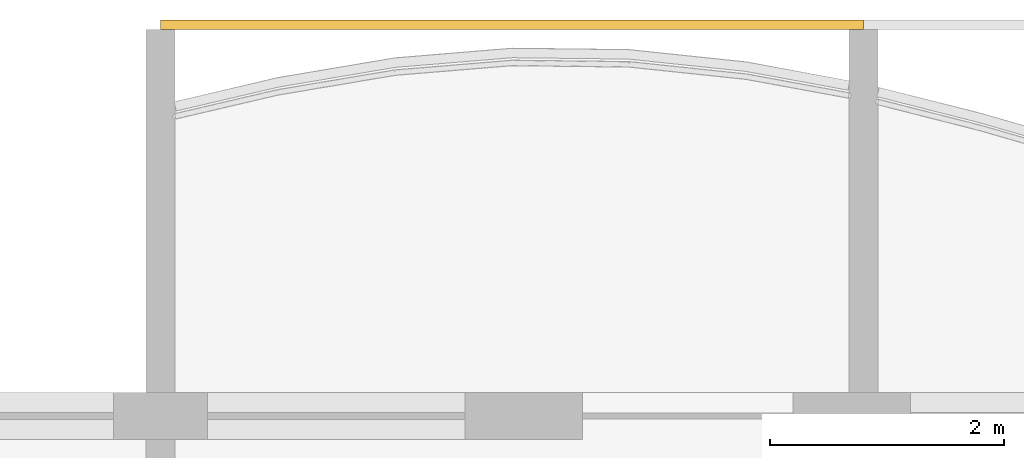
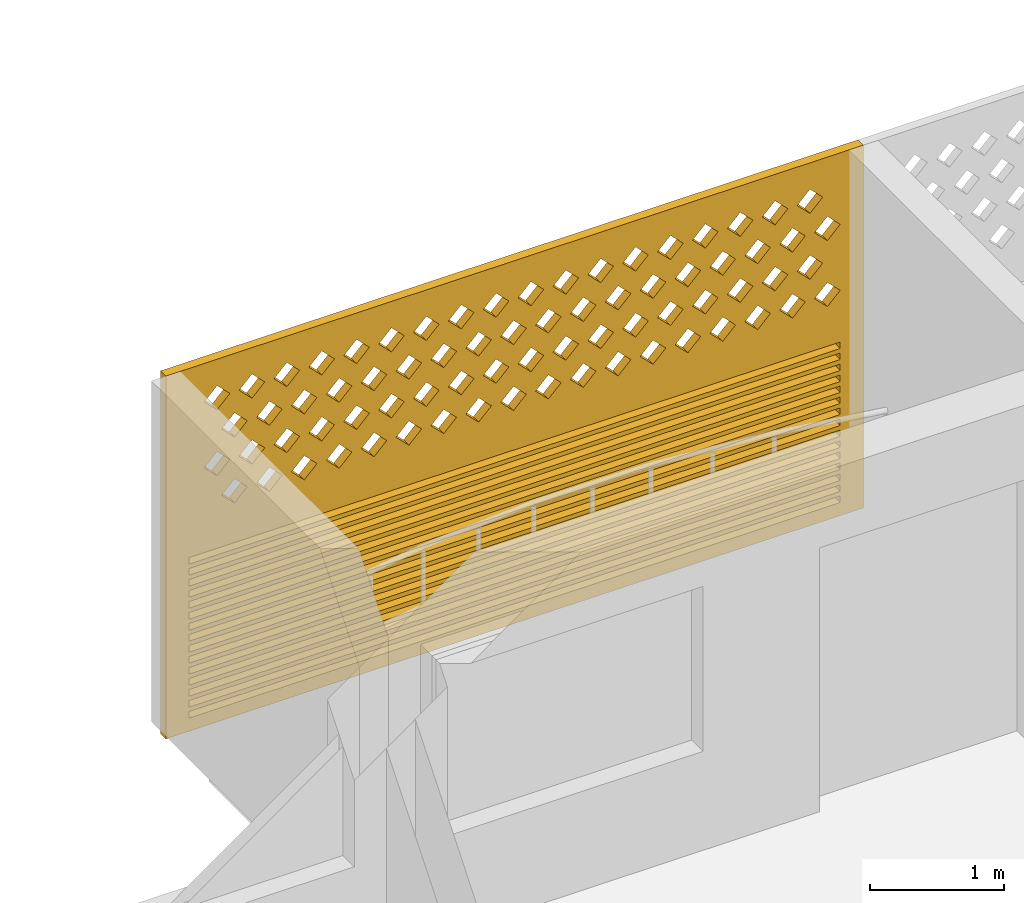
# One storey, part 22 of 26: 1 covering.
"""IFC4 building model written with IfcOpenShell, lengths in metres."""

import ifcopenshell
import ifcopenshell.guid

model = None  # the IFC model being written
_history = None  # IfcOwnerHistory: only IFC2X3 demands one
_inside = {}  # id of a spatial element -> (the spatial element, [elements in it])
_under = {}  # id of a project, library or spatial element -> (it, [spatial elements below it])
_declared = {}  # id of a project -> (the project, [libraries it declares])
_typed = {}  # id of a type object -> (the type object, [elements of that type])
_made_of = {}  # id of a material, layer set ... -> (it, [elements and type objects made of it])


def new_model(schema):
    """Start an empty IFC model of exactly this schema.

    Asked for "IFC4X3", IfcOpenShell would pick the latest addendum, in which some entities
    have other attributes; the version numbers below select the first issue.
    IFC2X3 requires an IfcOwnerHistory on every rooted entity: one is made here for all.
    """
    global model, _history
    if schema == "IFC4X3":
        model = ifcopenshell.file(schema_version=(4, 3, 0, 0))
    else:
        model = ifcopenshell.file(schema=schema)
    _inside.clear()
    _under.clear()
    _declared.clear()
    _typed.clear()
    _made_of.clear()
    _history = None
    if model.schema == "IFC2X3":
        org = make("IfcOrganization", Name="unknown")
        user = make(
            "IfcPersonAndOrganization",
            ThePerson=make("IfcPerson", FamilyName="unknown"),
            TheOrganization=org,
        )
        app = make(
            "IfcApplication",
            ApplicationDeveloper=org,
            Version="unknown",
            ApplicationFullName="unknown",
            ApplicationIdentifier="unknown",
        )
        _history = make(
            "IfcOwnerHistory",
            OwningUser=user,
            OwningApplication=app,
            ChangeAction="ADDED",
            CreationDate=0,
        )
    return model


def make(cls, **values):
    """One entity of the class cls with the attributes given. An attribute that is None is left unset."""
    return model.create_entity(
        cls, **{name: value for name, value in values.items() if value is not None}
    )


def rooted(cls, **values):
    """An entity with a GlobalId (a new one), such as an element, a storey or a relation."""
    return make(cls, GlobalId=ifcopenshell.guid.new(), OwnerHistory=_history, **values)


def si_unit(unit_type, name, prefix=None):
    """IfcSIUnit, for example si_unit("LENGTHUNIT", "METRE", prefix="MILLI")."""
    return make("IfcSIUnit", UnitType=unit_type, Prefix=prefix, Name=name)


def assignment(units):
    """IfcUnitAssignment: the units of a project."""
    return None if units is None else make("IfcUnitAssignment", Units=units)


def point(xyz):
    """IfcCartesianPoint."""
    return None if xyz is None else make("IfcCartesianPoint", Coordinates=xyz)


def direction(xyz):
    """IfcDirection."""
    return None if xyz is None else make("IfcDirection", DirectionRatios=xyz)


def frame(location, z_axis=None, x_axis=None):
    """IfcAxis2Placement3D, a coordinate frame: its origin and axes. An axis left out is left unset."""
    return make(
        "IfcAxis2Placement3D",
        Location=point(location),
        Axis=direction(z_axis),
        RefDirection=direction(x_axis),
    )


def origin():
    """The frame at (0, 0, 0) with its axes left unset."""
    return frame((0.0, 0.0, 0.0))


def place(relative_to, where):
    """IfcLocalPlacement: puts the frame where relative to a parent placement (None: the world)."""
    return make(
        "IfcLocalPlacement", PlacementRelTo=relative_to, RelativePlacement=where
    )


def context(
    kind, dimensions, precision=None, world=None, true_north=None, identifier=None
):
    """IfcGeometricRepresentationContext, for example the 3D "Model" context."""
    return make(
        "IfcGeometricRepresentationContext",
        ContextIdentifier=identifier,
        ContextType=kind,
        CoordinateSpaceDimension=dimensions,
        Precision=precision,
        WorldCoordinateSystem=world,
        TrueNorth=true_north,
    )


def subcontext(parent, identifier, kind, view, scale=None):
    """IfcGeometricRepresentationSubContext, for example "Body" below "Model"."""
    return make(
        "IfcGeometricRepresentationSubContext",
        ContextIdentifier=identifier,
        ContextType=kind,
        ParentContext=parent,
        TargetScale=scale,
        TargetView=view,
    )


def project(units=None, contexts=None):
    """IfcProject with its units and contexts."""
    return rooted(
        "IfcProject",
        Name="project",
        RepresentationContexts=contexts,
        UnitsInContext=assignment(units),
    )


def spatial(cls, under=None, at=None, **own):
    """A site, building, storey or space (cls), placed at a placement, below another one or the project."""
    s = rooted(cls, ObjectPlacement=at, **own)
    if under is not None:
        _under.setdefault(under.id(), (under, []))[1].append(s)
    return s


def polyline(points):
    """IfcPolyline through the points."""
    return make("IfcPolyline", Points=[point(p) for p in points])


def outline(outer, holes=None, kind="AREA"):
    """IfcArbitraryClosedProfileDef: a profile drawn as a closed curve; with holes, ...WithVoids."""
    if holes is None:
        return make("IfcArbitraryClosedProfileDef", ProfileType=kind, OuterCurve=outer)
    return make(
        "IfcArbitraryProfileDefWithVoids",
        ProfileType=kind,
        OuterCurve=outer,
        InnerCurves=holes,
    )


def extrude(swept, where, along, depth):
    """IfcExtrudedAreaSolid: the profile swept, set in the frame where, extruded along a direction by depth."""
    return make(
        "IfcExtrudedAreaSolid",
        SweptArea=swept,
        Position=where,
        ExtrudedDirection=direction(along),
        Depth=depth,
    )


def shape(context_of_items, identifier, shape_type, items):
    """IfcShapeRepresentation: the items that make up one representation, for example the "Body"."""
    return make(
        "IfcShapeRepresentation",
        ContextOfItems=context_of_items,
        RepresentationIdentifier=identifier,
        RepresentationType=shape_type,
        Items=items,
    )


def source(mapping_origin, context_of_items, identifier, shape_type, items):
    """IfcRepresentationMap: a shape defined once, which mapped items show again and again."""
    return make(
        "IfcRepresentationMap",
        MappingOrigin=mapping_origin,
        MappedRepresentation=shape(context_of_items, identifier, shape_type, items),
    )


def transform(
    local_origin,
    x_axis=None,
    y_axis=None,
    z_axis=None,
    scale=None,
    scale2=None,
    scale3=None,
    uniform=True,
):
    """IfcCartesianTransformationOperator3D, or its non-uniform kind. x_axis, y_axis, z_axis: its Axis1, 2, 3."""
    if uniform:
        return make(
            "IfcCartesianTransformationOperator3D",
            Axis1=direction(x_axis),
            Axis2=direction(y_axis),
            LocalOrigin=point(local_origin),
            Scale=scale,
            Axis3=direction(z_axis),
        )
    return make(
        "IfcCartesianTransformationOperator3DnonUniform",
        Axis1=direction(x_axis),
        Axis2=direction(y_axis),
        LocalOrigin=point(local_origin),
        Scale=scale,
        Axis3=direction(z_axis),
        Scale2=scale2,
        Scale3=scale3,
    )


def mapped(mapping_source, mapping_target):
    """IfcMappedItem: shows the shape of a source again, moved by a transform."""
    return make(
        "IfcMappedItem", MappingSource=mapping_source, MappingTarget=mapping_target
    )


def material(Name=None, Category=None):
    """IfcMaterial."""
    return make("IfcMaterial", Name=Name, Category=Category)


def material_profile(
    of_material, cross_section, Name=None, Category=None, Priority=None
):
    """IfcMaterialProfile: a cross section and its material."""
    return make(
        "IfcMaterialProfile",
        Name=Name,
        Material=of_material,
        Profile=cross_section,
        Priority=Priority,
        Category=Category,
    )


def profile_set(profiles, Name=None, composite=None):
    """IfcMaterialProfileSet."""
    return make(
        "IfcMaterialProfileSet",
        Name=Name,
        MaterialProfiles=profiles,
        CompositeProfile=composite,
    )


def made_of(thing, what):
    """Note that an element or type object is made of a material, layer set ...; save() writes the relation."""
    if what is not None:
        _made_of.setdefault(what.id(), (what, []))[1].append(thing)
    return thing


def type_object(cls, material=None, **own):
    """A type object (cls), such as IfcWallType, which elements share."""
    return made_of(rooted(cls, **own), material)


def element(
    cls,
    number,
    at=None,
    inside=None,
    cuts=None,
    type_object=None,
    material=None,
    context=None,
    identifier="Body",
    shape_type=None,
    held_by="IfcProductDefinitionShape",
    body=None,
    shapes=None,
    **own,
):
    """One element of the class cls, such as IfcWall. Its Tag is "e" and its number.

    at: its placement. inside: the storey or other place that contains it. cuts: it is an
    opening in that element (IfcRelVoidsElement). A single representation is given by context,
    identifier, shape_type and body (its items); several are given by shapes. held_by: the class
    of the entity that holds the representations. save() writes the other relations.
    """
    e = rooted(cls, Tag="e%d" % number, ObjectPlacement=at, **own)
    if body is not None:
        shapes = [shape(context, identifier, shape_type, body)]
    if shapes is not None:
        e.Representation = make(held_by, Representations=shapes)
    if inside is not None:
        _inside.setdefault(inside.id(), (inside, []))[1].append(e)
    if cuts is not None:
        rooted(
            "IfcRelVoidsElement", RelatingBuildingElement=cuts, RelatedOpeningElement=e
        )
    if type_object is not None:
        _typed.setdefault(type_object.id(), (type_object, []))[1].append(e)
    return made_of(e, material)


def aggregate(whole, parts):
    """IfcRelAggregates: a whole, such as a stair, and the parts it consists of."""
    return rooted("IfcRelAggregates", RelatingObject=whole, RelatedObjects=parts)


def save(model, path):
    """Write the relations noted so far, then the file.

    IfcRelAggregates (storeys below a building ...), IfcRelContainedInSpatialStructure (elements
    in a storey), IfcRelDefinesByType, IfcRelAssociatesMaterial and IfcRelDeclares: one each for
    every whole, place, type object, material and project.
    """
    for whole, parts in _under.values():
        aggregate(whole, parts)
    for where, things in _inside.values():
        rooted(
            "IfcRelContainedInSpatialStructure",
            RelatedElements=things,
            RelatingStructure=where,
        )
    for kind, things in _typed.values():
        rooted("IfcRelDefinesByType", RelatedObjects=things, RelatingType=kind)
    for what, things in _made_of.values():
        rooted("IfcRelAssociatesMaterial", RelatedObjects=things, RelatingMaterial=what)
    for by, libraries in _declared.values():
        rooted("IfcRelDeclares", RelatingContext=by, RelatedDefinitions=libraries)
    model.write(path)


model = new_model("IFC4")

# Units and contexts
model_context = context("Model", 3, precision=1e-05, world=origin(), true_north=direction((0.0, 1.0)))
body_context = subcontext(model_context, "Body", "Model", "MODEL_VIEW")
ifc_project = project(units=[si_unit("LENGTHUNIT", "METRE"), si_unit("AREAUNIT", "SQUARE_METRE"), si_unit("VOLUMEUNIT", "CUBIC_METRE"), si_unit("PLANEANGLEUNIT", "RADIAN"), si_unit("MASSUNIT", "GRAM", prefix="KILO")], contexts=[model_context])

# Site, building, storey
site_placement = place(None, origin())
site = spatial("IfcSite", under=ifc_project, at=site_placement, CompositionType="ELEMENT")
building_placement = place(site_placement, origin())
building = spatial("IfcBuilding", under=site, at=building_placement, Name="Poui Terraces", CompositionType="ELEMENT")
storey_placement = place(building_placement, frame((0.0, 0.0, 221.39990234375)))
storey = spatial("IfcBuildingStorey", under=building, at=storey_placement, Name="L61", CompositionType="ELEMENT", Elevation=221.39990234375)

# Covering
ifc_material = material(Name="Terracotta screen", Category="masonry")
ifc_material_profile = material_profile(ifc_material, outline(polyline([(-3.0, -1.64990234375), (3.0, -1.64990234375), (3.0, 1.64990234375), (-3.0, 1.64990234375), (-3.0, -1.64990234375)]), holes=[polyline([(-2.800048828125, 0.39990234375), (-2.68994140625, 0.2900390625), (-2.580078125, 0.39990234375), (-2.68994140625, 0.510009765625), (-2.800048828125, 0.39990234375)]), polyline([(-2.5, 0.39990234375), (-2.389892578125, 0.2900390625), (-2.280029296875, 0.39990234375), (-2.389892578125, 0.510009765625), (-2.5, 0.39990234375)]), polyline([(-2.199951171875, 0.39990234375), (-2.090087890625, 0.2900390625), (-1.97998046875, 0.39990234375), (-2.090087890625, 0.510009765625), (-2.199951171875, 0.39990234375)]), polyline([(-1.89990234375, 0.39990234375), (-1.7900390625, 0.2900390625), (-1.679931640625, 0.39990234375), (-1.7900390625, 0.510009765625), (-1.89990234375, 0.39990234375)]), polyline([(-1.60009765625, 0.39990234375), (-1.489990234375, 0.2900390625), (-1.3798828125, 0.39990234375), (-1.489990234375, 0.510009765625), (-1.60009765625, 0.39990234375)]), polyline([(-1.300048828125, 0.39990234375), (-1.18994140625, 0.2900390625), (-1.080078125, 0.39990234375), (-1.18994140625, 0.510009765625), (-1.300048828125, 0.39990234375)]), polyline([(-1.0, 0.39990234375), (-0.889892578125, 0.2900390625), (-0.780029296875, 0.39990234375), (-0.889892578125, 0.510009765625), (-1.0, 0.39990234375)]), polyline([(-0.699951171875, 0.39990234375), (-0.590087890625, 0.2900390625), (-0.47998046875, 0.39990234375), (-0.590087890625, 0.510009765625), (-0.699951171875, 0.39990234375)]), polyline([(-0.39990234375, 0.39990234375), (-0.2900390625, 0.2900390625), (-0.179931640625, 0.39990234375), (-0.2900390625, 0.510009765625), (-0.39990234375, 0.39990234375)]), polyline([(-0.10009765625, 0.39990234375), (0.010009765625, 0.2900390625), (0.1201171875, 0.39990234375), (0.010009765625, 0.510009765625), (-0.10009765625, 0.39990234375)]), polyline([(0.199951171875, 0.39990234375), (0.31005859375, 0.2900390625), (0.419921875, 0.39990234375), (0.31005859375, 0.510009765625), (0.199951171875, 0.39990234375)]), polyline([(0.5, 0.39990234375), (0.610107421875, 0.2900390625), (0.719970703125, 0.39990234375), (0.610107421875, 0.510009765625), (0.5, 0.39990234375)]), polyline([(0.800048828125, 0.39990234375), (0.909912109375, 0.2900390625), (1.02001953125, 0.39990234375), (0.909912109375, 0.510009765625), (0.800048828125, 0.39990234375)]), polyline([(1.10009765625, 0.39990234375), (1.2099609375, 0.2900390625), (1.320068359375, 0.39990234375), (1.2099609375, 0.510009765625), (1.10009765625, 0.39990234375)]), polyline([(1.39990234375, 0.39990234375), (1.510009765625, 0.2900390625), (1.6201171875, 0.39990234375), (1.510009765625, 0.510009765625), (1.39990234375, 0.39990234375)]), polyline([(1.699951171875, 0.39990234375), (1.81005859375, 0.2900390625), (1.919921875, 0.39990234375), (1.81005859375, 0.510009765625), (1.699951171875, 0.39990234375)]), polyline([(2.0, 0.39990234375), (2.110107421875, 0.2900390625), (2.219970703125, 0.39990234375), (2.110107421875, 0.510009765625), (2.0, 0.39990234375)]), polyline([(2.300048828125, 0.39990234375), (2.409912109375, 0.2900390625), (2.52001953125, 0.39990234375), (2.409912109375, 0.510009765625), (2.300048828125, 0.39990234375)]), polyline([(-2.64990234375, 0.699951171875), (-2.5400390625, 0.590087890625), (-2.429931640625, 0.699951171875), (-2.5400390625, 0.81005859375), (-2.64990234375, 0.699951171875)]), polyline([(-2.35009765625, 0.699951171875), (-2.239990234375, 0.590087890625), (-2.1298828125, 0.699951171875), (-2.239990234375, 0.81005859375), (-2.35009765625, 0.699951171875)]), polyline([(-2.050048828125, 0.699951171875), (-1.93994140625, 0.590087890625), (-1.830078125, 0.699951171875), (-1.93994140625, 0.81005859375), (-2.050048828125, 0.699951171875)]), polyline([(-1.75, 0.699951171875), (-1.639892578125, 0.590087890625), (-1.530029296875, 0.699951171875), (-1.639892578125, 0.81005859375), (-1.75, 0.699951171875)]), polyline([(-1.449951171875, 0.699951171875), (-1.340087890625, 0.590087890625), (-1.22998046875, 0.699951171875), (-1.340087890625, 0.81005859375), (-1.449951171875, 0.699951171875)]), polyline([(-1.14990234375, 0.699951171875), (-1.0400390625, 0.590087890625), (-0.929931640625, 0.699951171875), (-1.0400390625, 0.81005859375), (-1.14990234375, 0.699951171875)]), polyline([(-0.85009765625, 0.699951171875), (-0.739990234375, 0.590087890625), (-0.6298828125, 0.699951171875), (-0.739990234375, 0.81005859375), (-0.85009765625, 0.699951171875)]), polyline([(-0.550048828125, 0.699951171875), (-0.43994140625, 0.590087890625), (-0.330078125, 0.699951171875), (-0.43994140625, 0.81005859375), (-0.550048828125, 0.699951171875)]), polyline([(-0.25, 0.699951171875), (-0.139892578125, 0.590087890625), (-0.030029296875, 0.699951171875), (-0.139892578125, 0.81005859375), (-0.25, 0.699951171875)]), polyline([(0.050048828125, 0.699951171875), (0.159912109375, 0.590087890625), (0.27001953125, 0.699951171875), (0.159912109375, 0.81005859375), (0.050048828125, 0.699951171875)]), polyline([(0.35009765625, 0.699951171875), (0.4599609375, 0.590087890625), (0.570068359375, 0.699951171875), (0.4599609375, 0.81005859375), (0.35009765625, 0.699951171875)]), polyline([(0.64990234375, 0.699951171875), (0.760009765625, 0.590087890625), (0.8701171875, 0.699951171875), (0.760009765625, 0.81005859375), (0.64990234375, 0.699951171875)]), polyline([(0.949951171875, 0.699951171875), (1.06005859375, 0.590087890625), (1.169921875, 0.699951171875), (1.06005859375, 0.81005859375), (0.949951171875, 0.699951171875)]), polyline([(1.25, 0.699951171875), (1.360107421875, 0.590087890625), (1.469970703125, 0.699951171875), (1.360107421875, 0.81005859375), (1.25, 0.699951171875)]), polyline([(1.550048828125, 0.699951171875), (1.659912109375, 0.590087890625), (1.77001953125, 0.699951171875), (1.659912109375, 0.81005859375), (1.550048828125, 0.699951171875)]), polyline([(1.85009765625, 0.699951171875), (1.9599609375, 0.590087890625), (2.070068359375, 0.699951171875), (1.9599609375, 0.81005859375), (1.85009765625, 0.699951171875)]), polyline([(2.14990234375, 0.699951171875), (2.260009765625, 0.590087890625), (2.3701171875, 0.699951171875), (2.260009765625, 0.81005859375), (2.14990234375, 0.699951171875)]), polyline([(2.449951171875, 0.699951171875), (2.56005859375, 0.590087890625), (2.669921875, 0.699951171875), (2.56005859375, 0.81005859375), (2.449951171875, 0.699951171875)]), polyline([(-2.800048828125, 1.0), (-2.68994140625, 0.889892578125), (-2.580078125, 1.0), (-2.68994140625, 1.110107421875), (-2.800048828125, 1.0)]), polyline([(-2.5, 1.0), (-2.389892578125, 0.889892578125), (-2.280029296875, 1.0), (-2.389892578125, 1.110107421875), (-2.5, 1.0)]), polyline([(-2.199951171875, 1.0), (-2.090087890625, 0.889892578125), (-1.97998046875, 1.0), (-2.090087890625, 1.110107421875), (-2.199951171875, 1.0)]), polyline([(-1.89990234375, 1.0), (-1.7900390625, 0.889892578125), (-1.679931640625, 1.0), (-1.7900390625, 1.110107421875), (-1.89990234375, 1.0)]), polyline([(-1.60009765625, 1.0), (-1.489990234375, 0.889892578125), (-1.3798828125, 1.0), (-1.489990234375, 1.110107421875), (-1.60009765625, 1.0)]), polyline([(-1.300048828125, 1.0), (-1.18994140625, 0.889892578125), (-1.080078125, 1.0), (-1.18994140625, 1.110107421875), (-1.300048828125, 1.0)]), polyline([(-1.0, 1.0), (-0.889892578125, 0.889892578125), (-0.780029296875, 1.0), (-0.889892578125, 1.110107421875), (-1.0, 1.0)]), polyline([(-0.699951171875, 1.0), (-0.590087890625, 0.889892578125), (-0.47998046875, 1.0), (-0.590087890625, 1.110107421875), (-0.699951171875, 1.0)]), polyline([(-0.39990234375, 1.0), (-0.2900390625, 0.889892578125), (-0.179931640625, 1.0), (-0.2900390625, 1.110107421875), (-0.39990234375, 1.0)]), polyline([(-0.10009765625, 1.0), (0.010009765625, 0.889892578125), (0.1201171875, 1.0), (0.010009765625, 1.110107421875), (-0.10009765625, 1.0)]), polyline([(0.199951171875, 1.0), (0.31005859375, 0.889892578125), (0.419921875, 1.0), (0.31005859375, 1.110107421875), (0.199951171875, 1.0)]), polyline([(0.5, 1.0), (0.610107421875, 0.889892578125), (0.719970703125, 1.0), (0.610107421875, 1.110107421875), (0.5, 1.0)]), polyline([(0.800048828125, 1.0), (0.909912109375, 0.889892578125), (1.02001953125, 1.0), (0.909912109375, 1.110107421875), (0.800048828125, 1.0)]), polyline([(1.10009765625, 1.0), (1.2099609375, 0.889892578125), (1.320068359375, 1.0), (1.2099609375, 1.110107421875), (1.10009765625, 1.0)]), polyline([(1.39990234375, 1.0), (1.510009765625, 0.889892578125), (1.6201171875, 1.0), (1.510009765625, 1.110107421875), (1.39990234375, 1.0)]), polyline([(1.699951171875, 1.0), (1.81005859375, 0.889892578125), (1.919921875, 1.0), (1.81005859375, 1.110107421875), (1.699951171875, 1.0)]), polyline([(2.0, 1.0), (2.110107421875, 0.889892578125), (2.219970703125, 1.0), (2.110107421875, 1.110107421875), (2.0, 1.0)]), polyline([(2.300048828125, 1.0), (2.409912109375, 0.889892578125), (2.52001953125, 1.0), (2.409912109375, 1.110107421875), (2.300048828125, 1.0)]), polyline([(-2.64990234375, 1.300048828125), (-2.5400390625, 1.18994140625), (-2.429931640625, 1.300048828125), (-2.5400390625, 1.409912109375), (-2.64990234375, 1.300048828125)]), polyline([(-2.35009765625, 1.300048828125), (-2.239990234375, 1.18994140625), (-2.1298828125, 1.300048828125), (-2.239990234375, 1.409912109375), (-2.35009765625, 1.300048828125)]), polyline([(-2.050048828125, 1.300048828125), (-1.93994140625, 1.18994140625), (-1.830078125, 1.300048828125), (-1.93994140625, 1.409912109375), (-2.050048828125, 1.300048828125)]), polyline([(-1.75, 1.300048828125), (-1.639892578125, 1.18994140625), (-1.530029296875, 1.300048828125), (-1.639892578125, 1.409912109375), (-1.75, 1.300048828125)]), polyline([(-1.449951171875, 1.300048828125), (-1.340087890625, 1.18994140625), (-1.22998046875, 1.300048828125), (-1.340087890625, 1.409912109375), (-1.449951171875, 1.300048828125)]), polyline([(-1.14990234375, 1.300048828125), (-1.0400390625, 1.18994140625), (-0.929931640625, 1.300048828125), (-1.0400390625, 1.409912109375), (-1.14990234375, 1.300048828125)]), polyline([(-0.85009765625, 1.300048828125), (-0.739990234375, 1.18994140625), (-0.6298828125, 1.300048828125), (-0.739990234375, 1.409912109375), (-0.85009765625, 1.300048828125)]), polyline([(-0.550048828125, 1.300048828125), (-0.43994140625, 1.18994140625), (-0.330078125, 1.300048828125), (-0.43994140625, 1.409912109375), (-0.550048828125, 1.300048828125)]), polyline([(-0.25, 1.300048828125), (-0.139892578125, 1.18994140625), (-0.030029296875, 1.300048828125), (-0.139892578125, 1.409912109375), (-0.25, 1.300048828125)]), polyline([(0.050048828125, 1.300048828125), (0.159912109375, 1.18994140625), (0.27001953125, 1.300048828125), (0.159912109375, 1.409912109375), (0.050048828125, 1.300048828125)]), polyline([(0.35009765625, 1.300048828125), (0.4599609375, 1.18994140625), (0.570068359375, 1.300048828125), (0.4599609375, 1.409912109375), (0.35009765625, 1.300048828125)]), polyline([(0.64990234375, 1.300048828125), (0.760009765625, 1.18994140625), (0.8701171875, 1.300048828125), (0.760009765625, 1.409912109375), (0.64990234375, 1.300048828125)]), polyline([(0.949951171875, 1.300048828125), (1.06005859375, 1.18994140625), (1.169921875, 1.300048828125), (1.06005859375, 1.409912109375), (0.949951171875, 1.300048828125)]), polyline([(1.25, 1.300048828125), (1.360107421875, 1.18994140625), (1.469970703125, 1.300048828125), (1.360107421875, 1.409912109375), (1.25, 1.300048828125)]), polyline([(1.550048828125, 1.300048828125), (1.659912109375, 1.18994140625), (1.77001953125, 1.300048828125), (1.659912109375, 1.409912109375), (1.550048828125, 1.300048828125)]), polyline([(1.85009765625, 1.300048828125), (1.9599609375, 1.18994140625), (2.070068359375, 1.300048828125), (1.9599609375, 1.409912109375), (1.85009765625, 1.300048828125)]), polyline([(2.14990234375, 1.300048828125), (2.260009765625, 1.18994140625), (2.3701171875, 1.300048828125), (2.260009765625, 1.409912109375), (2.14990234375, 1.300048828125)]), polyline([(2.449951171875, 1.300048828125), (2.56005859375, 1.18994140625), (2.669921875, 1.300048828125), (2.56005859375, 1.409912109375), (2.449951171875, 1.300048828125)]), polyline([(-2.800048828125, -1.530029296875), (2.800048828125, -1.530029296875), (2.800048828125, -1.469970703125), (-2.800048828125, -1.469970703125), (-2.800048828125, -1.530029296875)]), polyline([(-2.800048828125, -1.429931640625), (2.800048828125, -1.429931640625), (2.800048828125, -1.3701171875), (-2.800048828125, -1.3701171875), (-2.800048828125, -1.429931640625)]), polyline([(-2.800048828125, -1.330078125), (2.800048828125, -1.330078125), (2.800048828125, -1.27001953125), (-2.800048828125, -1.27001953125), (-2.800048828125, -1.330078125)]), polyline([(-2.800048828125, -1.22998046875), (2.800048828125, -1.22998046875), (2.800048828125, -1.169921875), (-2.800048828125, -1.169921875), (-2.800048828125, -1.22998046875)]), polyline([(-2.800048828125, -1.1298828125), (2.800048828125, -1.1298828125), (2.800048828125, -1.070068359375), (-2.800048828125, -1.070068359375), (-2.800048828125, -1.1298828125)]), polyline([(-2.800048828125, -1.030029296875), (2.800048828125, -1.030029296875), (2.800048828125, -0.969970703125), (-2.800048828125, -0.969970703125), (-2.800048828125, -1.030029296875)]), polyline([(-2.800048828125, -0.929931640625), (2.800048828125, -0.929931640625), (2.800048828125, -0.8701171875), (-2.800048828125, -0.8701171875), (-2.800048828125, -0.929931640625)]), polyline([(-2.800048828125, -0.830078125), (2.800048828125, -0.830078125), (2.800048828125, -0.77001953125), (-2.800048828125, -0.77001953125), (-2.800048828125, -0.830078125)]), polyline([(-2.800048828125, -0.72998046875), (2.800048828125, -0.72998046875), (2.800048828125, -0.669921875), (-2.800048828125, -0.669921875), (-2.800048828125, -0.72998046875)]), polyline([(-2.800048828125, -0.6298828125), (2.800048828125, -0.6298828125), (2.800048828125, -0.570068359375), (-2.800048828125, -0.570068359375), (-2.800048828125, -0.6298828125)]), polyline([(-2.800048828125, -0.530029296875), (2.800048828125, -0.530029296875), (2.800048828125, -0.469970703125), (-2.800048828125, -0.469970703125), (-2.800048828125, -0.530029296875)]), polyline([(-2.800048828125, -0.429931640625), (2.800048828125, -0.429931640625), (2.800048828125, -0.3701171875), (-2.800048828125, -0.3701171875), (-2.800048828125, -0.429931640625)]), polyline([(-2.800048828125, -0.330078125), (2.800048828125, -0.330078125), (2.800048828125, -0.27001953125), (-2.800048828125, -0.27001953125), (-2.800048828125, -0.330078125)]), polyline([(-2.800048828125, -0.22998046875), (2.800048828125, -0.22998046875), (2.800048828125, -0.169921875), (-2.800048828125, -0.169921875), (-2.800048828125, -0.22998046875)]), polyline([(-2.800048828125, -0.1298828125), (2.800048828125, -0.1298828125), (2.800048828125, -0.070068359375), (-2.800048828125, -0.070068359375), (-2.800048828125, -0.1298828125)])]), Name="TERRACOTTA SCREEN AND JALOUSIE LOUVRE 6000X3300")
ifc_profile_set = profile_set([ifc_material_profile], Name="Terracotta screen")
covering_type = type_object("IfcCoveringType", Name="TERRACOTTA SCREEN AND JALOUSIE LOUVRE 6000X3300", PredefinedType="CLADDING", material=ifc_profile_set)
shared_shape = source(origin(), body_context, "Body", "SweptSolid", [
    extrude(outline(polyline([(-3.0, -1.64990234375), (3.0, -1.64990234375), (3.0, 1.64990234375), (-3.0, 1.64990234375), (-3.0, -1.64990234375)]), holes=[polyline([(-2.800048828125, 0.39990234375), (-2.68994140625, 0.2900390625), (-2.580078125, 0.39990234375), (-2.68994140625, 0.510009765625), (-2.800048828125, 0.39990234375)]), polyline([(-2.5, 0.39990234375), (-2.389892578125, 0.2900390625), (-2.280029296875, 0.39990234375), (-2.389892578125, 0.510009765625), (-2.5, 0.39990234375)]), polyline([(-2.199951171875, 0.39990234375), (-2.090087890625, 0.2900390625), (-1.97998046875, 0.39990234375), (-2.090087890625, 0.510009765625), (-2.199951171875, 0.39990234375)]), polyline([(-1.89990234375, 0.39990234375), (-1.7900390625, 0.2900390625), (-1.679931640625, 0.39990234375), (-1.7900390625, 0.510009765625), (-1.89990234375, 0.39990234375)]), polyline([(-1.60009765625, 0.39990234375), (-1.489990234375, 0.2900390625), (-1.3798828125, 0.39990234375), (-1.489990234375, 0.510009765625), (-1.60009765625, 0.39990234375)]), polyline([(-1.300048828125, 0.39990234375), (-1.18994140625, 0.2900390625), (-1.080078125, 0.39990234375), (-1.18994140625, 0.510009765625), (-1.300048828125, 0.39990234375)]), polyline([(-1.0, 0.39990234375), (-0.889892578125, 0.2900390625), (-0.780029296875, 0.39990234375), (-0.889892578125, 0.510009765625), (-1.0, 0.39990234375)]), polyline([(-0.699951171875, 0.39990234375), (-0.590087890625, 0.2900390625), (-0.47998046875, 0.39990234375), (-0.590087890625, 0.510009765625), (-0.699951171875, 0.39990234375)]), polyline([(-0.39990234375, 0.39990234375), (-0.2900390625, 0.2900390625), (-0.179931640625, 0.39990234375), (-0.2900390625, 0.510009765625), (-0.39990234375, 0.39990234375)]), polyline([(-0.10009765625, 0.39990234375), (0.010009765625, 0.2900390625), (0.1201171875, 0.39990234375), (0.010009765625, 0.510009765625), (-0.10009765625, 0.39990234375)]), polyline([(0.199951171875, 0.39990234375), (0.31005859375, 0.2900390625), (0.419921875, 0.39990234375), (0.31005859375, 0.510009765625), (0.199951171875, 0.39990234375)]), polyline([(0.5, 0.39990234375), (0.610107421875, 0.2900390625), (0.719970703125, 0.39990234375), (0.610107421875, 0.510009765625), (0.5, 0.39990234375)]), polyline([(0.800048828125, 0.39990234375), (0.909912109375, 0.2900390625), (1.02001953125, 0.39990234375), (0.909912109375, 0.510009765625), (0.800048828125, 0.39990234375)]), polyline([(1.10009765625, 0.39990234375), (1.2099609375, 0.2900390625), (1.320068359375, 0.39990234375), (1.2099609375, 0.510009765625), (1.10009765625, 0.39990234375)]), polyline([(1.39990234375, 0.39990234375), (1.510009765625, 0.2900390625), (1.6201171875, 0.39990234375), (1.510009765625, 0.510009765625), (1.39990234375, 0.39990234375)]), polyline([(1.699951171875, 0.39990234375), (1.81005859375, 0.2900390625), (1.919921875, 0.39990234375), (1.81005859375, 0.510009765625), (1.699951171875, 0.39990234375)]), polyline([(2.0, 0.39990234375), (2.110107421875, 0.2900390625), (2.219970703125, 0.39990234375), (2.110107421875, 0.510009765625), (2.0, 0.39990234375)]), polyline([(2.300048828125, 0.39990234375), (2.409912109375, 0.2900390625), (2.52001953125, 0.39990234375), (2.409912109375, 0.510009765625), (2.300048828125, 0.39990234375)]), polyline([(-2.64990234375, 0.699951171875), (-2.5400390625, 0.590087890625), (-2.429931640625, 0.699951171875), (-2.5400390625, 0.81005859375), (-2.64990234375, 0.699951171875)]), polyline([(-2.35009765625, 0.699951171875), (-2.239990234375, 0.590087890625), (-2.1298828125, 0.699951171875), (-2.239990234375, 0.81005859375), (-2.35009765625, 0.699951171875)]), polyline([(-2.050048828125, 0.699951171875), (-1.93994140625, 0.590087890625), (-1.830078125, 0.699951171875), (-1.93994140625, 0.81005859375), (-2.050048828125, 0.699951171875)]), polyline([(-1.75, 0.699951171875), (-1.639892578125, 0.590087890625), (-1.530029296875, 0.699951171875), (-1.639892578125, 0.81005859375), (-1.75, 0.699951171875)]), polyline([(-1.449951171875, 0.699951171875), (-1.340087890625, 0.590087890625), (-1.22998046875, 0.699951171875), (-1.340087890625, 0.81005859375), (-1.449951171875, 0.699951171875)]), polyline([(-1.14990234375, 0.699951171875), (-1.0400390625, 0.590087890625), (-0.929931640625, 0.699951171875), (-1.0400390625, 0.81005859375), (-1.14990234375, 0.699951171875)]), polyline([(-0.85009765625, 0.699951171875), (-0.739990234375, 0.590087890625), (-0.6298828125, 0.699951171875), (-0.739990234375, 0.81005859375), (-0.85009765625, 0.699951171875)]), polyline([(-0.550048828125, 0.699951171875), (-0.43994140625, 0.590087890625), (-0.330078125, 0.699951171875), (-0.43994140625, 0.81005859375), (-0.550048828125, 0.699951171875)]), polyline([(-0.25, 0.699951171875), (-0.139892578125, 0.590087890625), (-0.030029296875, 0.699951171875), (-0.139892578125, 0.81005859375), (-0.25, 0.699951171875)]), polyline([(0.050048828125, 0.699951171875), (0.159912109375, 0.590087890625), (0.27001953125, 0.699951171875), (0.159912109375, 0.81005859375), (0.050048828125, 0.699951171875)]), polyline([(0.35009765625, 0.699951171875), (0.4599609375, 0.590087890625), (0.570068359375, 0.699951171875), (0.4599609375, 0.81005859375), (0.35009765625, 0.699951171875)]), polyline([(0.64990234375, 0.699951171875), (0.760009765625, 0.590087890625), (0.8701171875, 0.699951171875), (0.760009765625, 0.81005859375), (0.64990234375, 0.699951171875)]), polyline([(0.949951171875, 0.699951171875), (1.06005859375, 0.590087890625), (1.169921875, 0.699951171875), (1.06005859375, 0.81005859375), (0.949951171875, 0.699951171875)]), polyline([(1.25, 0.699951171875), (1.360107421875, 0.590087890625), (1.469970703125, 0.699951171875), (1.360107421875, 0.81005859375), (1.25, 0.699951171875)]), polyline([(1.550048828125, 0.699951171875), (1.659912109375, 0.590087890625), (1.77001953125, 0.699951171875), (1.659912109375, 0.81005859375), (1.550048828125, 0.699951171875)]), polyline([(1.85009765625, 0.699951171875), (1.9599609375, 0.590087890625), (2.070068359375, 0.699951171875), (1.9599609375, 0.81005859375), (1.85009765625, 0.699951171875)]), polyline([(2.14990234375, 0.699951171875), (2.260009765625, 0.590087890625), (2.3701171875, 0.699951171875), (2.260009765625, 0.81005859375), (2.14990234375, 0.699951171875)]), polyline([(2.449951171875, 0.699951171875), (2.56005859375, 0.590087890625), (2.669921875, 0.699951171875), (2.56005859375, 0.81005859375), (2.449951171875, 0.699951171875)]), polyline([(-2.800048828125, 1.0), (-2.68994140625, 0.889892578125), (-2.580078125, 1.0), (-2.68994140625, 1.110107421875), (-2.800048828125, 1.0)]), polyline([(-2.5, 1.0), (-2.389892578125, 0.889892578125), (-2.280029296875, 1.0), (-2.389892578125, 1.110107421875), (-2.5, 1.0)]), polyline([(-2.199951171875, 1.0), (-2.090087890625, 0.889892578125), (-1.97998046875, 1.0), (-2.090087890625, 1.110107421875), (-2.199951171875, 1.0)]), polyline([(-1.89990234375, 1.0), (-1.7900390625, 0.889892578125), (-1.679931640625, 1.0), (-1.7900390625, 1.110107421875), (-1.89990234375, 1.0)]), polyline([(-1.60009765625, 1.0), (-1.489990234375, 0.889892578125), (-1.3798828125, 1.0), (-1.489990234375, 1.110107421875), (-1.60009765625, 1.0)]), polyline([(-1.300048828125, 1.0), (-1.18994140625, 0.889892578125), (-1.080078125, 1.0), (-1.18994140625, 1.110107421875), (-1.300048828125, 1.0)]), polyline([(-1.0, 1.0), (-0.889892578125, 0.889892578125), (-0.780029296875, 1.0), (-0.889892578125, 1.110107421875), (-1.0, 1.0)]), polyline([(-0.699951171875, 1.0), (-0.590087890625, 0.889892578125), (-0.47998046875, 1.0), (-0.590087890625, 1.110107421875), (-0.699951171875, 1.0)]), polyline([(-0.39990234375, 1.0), (-0.2900390625, 0.889892578125), (-0.179931640625, 1.0), (-0.2900390625, 1.110107421875), (-0.39990234375, 1.0)]), polyline([(-0.10009765625, 1.0), (0.010009765625, 0.889892578125), (0.1201171875, 1.0), (0.010009765625, 1.110107421875), (-0.10009765625, 1.0)]), polyline([(0.199951171875, 1.0), (0.31005859375, 0.889892578125), (0.419921875, 1.0), (0.31005859375, 1.110107421875), (0.199951171875, 1.0)]), polyline([(0.5, 1.0), (0.610107421875, 0.889892578125), (0.719970703125, 1.0), (0.610107421875, 1.110107421875), (0.5, 1.0)]), polyline([(0.800048828125, 1.0), (0.909912109375, 0.889892578125), (1.02001953125, 1.0), (0.909912109375, 1.110107421875), (0.800048828125, 1.0)]), polyline([(1.10009765625, 1.0), (1.2099609375, 0.889892578125), (1.320068359375, 1.0), (1.2099609375, 1.110107421875), (1.10009765625, 1.0)]), polyline([(1.39990234375, 1.0), (1.510009765625, 0.889892578125), (1.6201171875, 1.0), (1.510009765625, 1.110107421875), (1.39990234375, 1.0)]), polyline([(1.699951171875, 1.0), (1.81005859375, 0.889892578125), (1.919921875, 1.0), (1.81005859375, 1.110107421875), (1.699951171875, 1.0)]), polyline([(2.0, 1.0), (2.110107421875, 0.889892578125), (2.219970703125, 1.0), (2.110107421875, 1.110107421875), (2.0, 1.0)]), polyline([(2.300048828125, 1.0), (2.409912109375, 0.889892578125), (2.52001953125, 1.0), (2.409912109375, 1.110107421875), (2.300048828125, 1.0)]), polyline([(-2.64990234375, 1.300048828125), (-2.5400390625, 1.18994140625), (-2.429931640625, 1.300048828125), (-2.5400390625, 1.409912109375), (-2.64990234375, 1.300048828125)]), polyline([(-2.35009765625, 1.300048828125), (-2.239990234375, 1.18994140625), (-2.1298828125, 1.300048828125), (-2.239990234375, 1.409912109375), (-2.35009765625, 1.300048828125)]), polyline([(-2.050048828125, 1.300048828125), (-1.93994140625, 1.18994140625), (-1.830078125, 1.300048828125), (-1.93994140625, 1.409912109375), (-2.050048828125, 1.300048828125)]), polyline([(-1.75, 1.300048828125), (-1.639892578125, 1.18994140625), (-1.530029296875, 1.300048828125), (-1.639892578125, 1.409912109375), (-1.75, 1.300048828125)]), polyline([(-1.449951171875, 1.300048828125), (-1.340087890625, 1.18994140625), (-1.22998046875, 1.300048828125), (-1.340087890625, 1.409912109375), (-1.449951171875, 1.300048828125)]), polyline([(-1.14990234375, 1.300048828125), (-1.0400390625, 1.18994140625), (-0.929931640625, 1.300048828125), (-1.0400390625, 1.409912109375), (-1.14990234375, 1.300048828125)]), polyline([(-0.85009765625, 1.300048828125), (-0.739990234375, 1.18994140625), (-0.6298828125, 1.300048828125), (-0.739990234375, 1.409912109375), (-0.85009765625, 1.300048828125)]), polyline([(-0.550048828125, 1.300048828125), (-0.43994140625, 1.18994140625), (-0.330078125, 1.300048828125), (-0.43994140625, 1.409912109375), (-0.550048828125, 1.300048828125)]), polyline([(-0.25, 1.300048828125), (-0.139892578125, 1.18994140625), (-0.030029296875, 1.300048828125), (-0.139892578125, 1.409912109375), (-0.25, 1.300048828125)]), polyline([(0.050048828125, 1.300048828125), (0.159912109375, 1.18994140625), (0.27001953125, 1.300048828125), (0.159912109375, 1.409912109375), (0.050048828125, 1.300048828125)]), polyline([(0.35009765625, 1.300048828125), (0.4599609375, 1.18994140625), (0.570068359375, 1.300048828125), (0.4599609375, 1.409912109375), (0.35009765625, 1.300048828125)]), polyline([(0.64990234375, 1.300048828125), (0.760009765625, 1.18994140625), (0.8701171875, 1.300048828125), (0.760009765625, 1.409912109375), (0.64990234375, 1.300048828125)]), polyline([(0.949951171875, 1.300048828125), (1.06005859375, 1.18994140625), (1.169921875, 1.300048828125), (1.06005859375, 1.409912109375), (0.949951171875, 1.300048828125)]), polyline([(1.25, 1.300048828125), (1.360107421875, 1.18994140625), (1.469970703125, 1.300048828125), (1.360107421875, 1.409912109375), (1.25, 1.300048828125)]), polyline([(1.550048828125, 1.300048828125), (1.659912109375, 1.18994140625), (1.77001953125, 1.300048828125), (1.659912109375, 1.409912109375), (1.550048828125, 1.300048828125)]), polyline([(1.85009765625, 1.300048828125), (1.9599609375, 1.18994140625), (2.070068359375, 1.300048828125), (1.9599609375, 1.409912109375), (1.85009765625, 1.300048828125)]), polyline([(2.14990234375, 1.300048828125), (2.260009765625, 1.18994140625), (2.3701171875, 1.300048828125), (2.260009765625, 1.409912109375), (2.14990234375, 1.300048828125)]), polyline([(2.449951171875, 1.300048828125), (2.56005859375, 1.18994140625), (2.669921875, 1.300048828125), (2.56005859375, 1.409912109375), (2.449951171875, 1.300048828125)]), polyline([(-2.800048828125, -1.530029296875), (2.800048828125, -1.530029296875), (2.800048828125, -1.469970703125), (-2.800048828125, -1.469970703125), (-2.800048828125, -1.530029296875)]), polyline([(-2.800048828125, -1.429931640625), (2.800048828125, -1.429931640625), (2.800048828125, -1.3701171875), (-2.800048828125, -1.3701171875), (-2.800048828125, -1.429931640625)]), polyline([(-2.800048828125, -1.330078125), (2.800048828125, -1.330078125), (2.800048828125, -1.27001953125), (-2.800048828125, -1.27001953125), (-2.800048828125, -1.330078125)]), polyline([(-2.800048828125, -1.22998046875), (2.800048828125, -1.22998046875), (2.800048828125, -1.169921875), (-2.800048828125, -1.169921875), (-2.800048828125, -1.22998046875)]), polyline([(-2.800048828125, -1.1298828125), (2.800048828125, -1.1298828125), (2.800048828125, -1.070068359375), (-2.800048828125, -1.070068359375), (-2.800048828125, -1.1298828125)]), polyline([(-2.800048828125, -1.030029296875), (2.800048828125, -1.030029296875), (2.800048828125, -0.969970703125), (-2.800048828125, -0.969970703125), (-2.800048828125, -1.030029296875)]), polyline([(-2.800048828125, -0.929931640625), (2.800048828125, -0.929931640625), (2.800048828125, -0.8701171875), (-2.800048828125, -0.8701171875), (-2.800048828125, -0.929931640625)]), polyline([(-2.800048828125, -0.830078125), (2.800048828125, -0.830078125), (2.800048828125, -0.77001953125), (-2.800048828125, -0.77001953125), (-2.800048828125, -0.830078125)]), polyline([(-2.800048828125, -0.72998046875), (2.800048828125, -0.72998046875), (2.800048828125, -0.669921875), (-2.800048828125, -0.669921875), (-2.800048828125, -0.72998046875)]), polyline([(-2.800048828125, -0.6298828125), (2.800048828125, -0.6298828125), (2.800048828125, -0.570068359375), (-2.800048828125, -0.570068359375), (-2.800048828125, -0.6298828125)]), polyline([(-2.800048828125, -0.530029296875), (2.800048828125, -0.530029296875), (2.800048828125, -0.469970703125), (-2.800048828125, -0.469970703125), (-2.800048828125, -0.530029296875)]), polyline([(-2.800048828125, -0.429931640625), (2.800048828125, -0.429931640625), (2.800048828125, -0.3701171875), (-2.800048828125, -0.3701171875), (-2.800048828125, -0.429931640625)]), polyline([(-2.800048828125, -0.330078125), (2.800048828125, -0.330078125), (2.800048828125, -0.27001953125), (-2.800048828125, -0.27001953125), (-2.800048828125, -0.330078125)]), polyline([(-2.800048828125, -0.22998046875), (2.800048828125, -0.22998046875), (2.800048828125, -0.169921875), (-2.800048828125, -0.169921875), (-2.800048828125, -0.22998046875)]), polyline([(-2.800048828125, -0.1298828125), (2.800048828125, -0.1298828125), (2.800048828125, -0.070068359375), (-2.800048828125, -0.070068359375), (-2.800048828125, -0.1298828125)])]), origin(), (0.0, 0.0, 1.0), 0.080078125),
])
covering_placement = place(storey_placement, frame((63.0, 44.5, 1.4501953125), z_axis=(0.0, 1.0, 0.0), x_axis=(-1.0, 0.0, 0.0)))
element("IfcCovering", 1, at=covering_placement, inside=storey, type_object=covering_type, Name="SOLAR SCREEN AND JALOUSIE LOUVRE", PredefinedType="CLADDING", context=body_context, shape_type="MappedRepresentation", body=[
    mapped(shared_shape, transform((0.0, 0.0, 0.0))),
])

save(model, "model.ifc")
